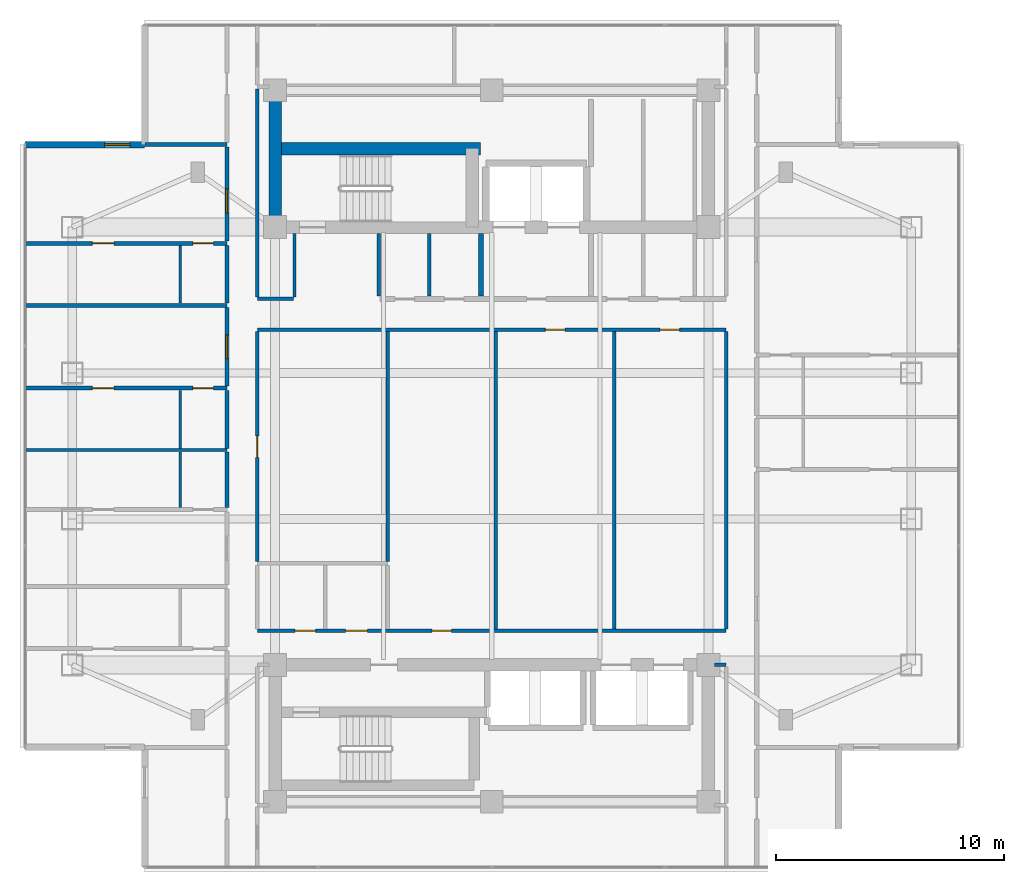
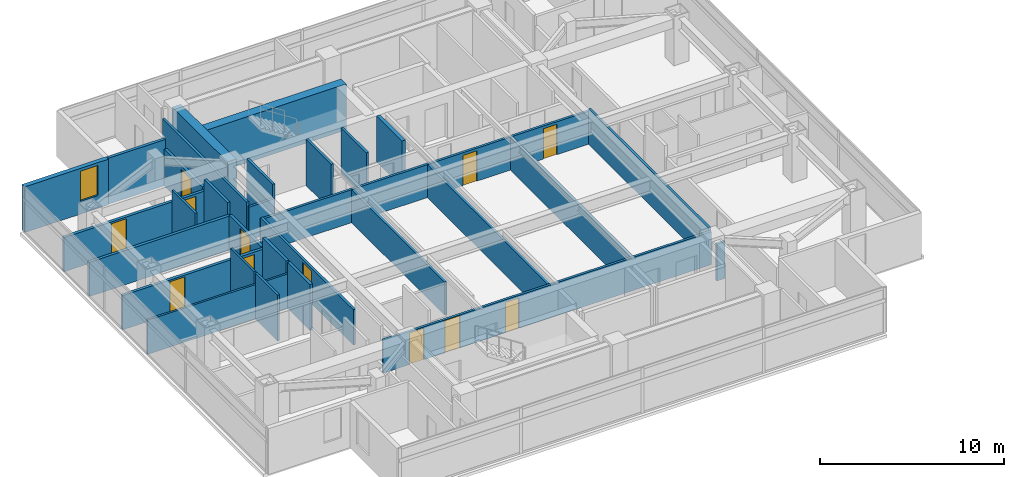
# One storey, part 13 of 24: 30 walls, 12 doors, 1 window, 13 openings.
"""IFC4 building model written with IfcOpenShell, lengths in metres."""

from ifc_helpers import new_model, si_unit, direction, frame, frame_2d, origin, place, context, subcontext, project, spatial, rectangle, extrude, material, layer, layer_set, type_object, element, fill, save


model = new_model("IFC4")

# Units and contexts
model_context = context("Model", 3, precision=1e-05, world=origin(), true_north=direction((0.0, 1.0)))
body_context = subcontext(model_context, "Body", "Model", "MODEL_VIEW")
ifc_project = project(units=[si_unit("LENGTHUNIT", "METRE"), si_unit("AREAUNIT", "SQUARE_METRE"), si_unit("VOLUMEUNIT", "CUBIC_METRE"), si_unit("PLANEANGLEUNIT", "RADIAN"), si_unit("MASSUNIT", "GRAM", prefix="KILO")], contexts=[model_context])

# Site, building, storey
site_placement = place(None, origin())
site = spatial("IfcSite", under=ifc_project, at=site_placement, CompositionType="ELEMENT")
building_placement = place(site_placement, origin())
building = spatial("IfcBuilding", under=site, at=building_placement, Name="Mirazonda Arch Towers", CompositionType="ELEMENT")
storey_placement = place(building_placement, frame((0.0, 0.0, 164.14990234375)))
storey = spatial("IfcBuildingStorey", under=building, at=storey_placement, Name="L46", CompositionType="ELEMENT", Elevation=164.14990234375)

# Walls
ifc_material_1 = material(Name="Concrete C50/60", Category="concrete")
ifc_layer_1 = layer(ifc_material_1, 0.550048828125, Name="WALL-CORE-550")
ifc_layer_set_1 = layer_set([ifc_layer_1], Name="Concrete C50/60")
wall_type_1 = type_object("IfcWallType", Name="WALL-CORE-550", PredefinedType="SHEAR", material=ifc_layer_set_1)
wall_1_placement = place(storey_placement, frame((11.0, 37.60009765625, 0.0), z_axis=(0.0, 0.0, 1.0), x_axis=(0.0, 1.0, 0.0)))
element("IfcWall", 1, at=wall_1_placement, inside=storey, type_object=wall_type_1, Name="L46 T1N-W Core Shear Wall", PredefinedType="SHEAR", context=body_context, shape_type="SweptSolid", body=[
    extrude(rectangle(XDim=6.0, YDim=0.550048828125, at=frame_2d((3.0, 0.0))), origin(), (0.0, 0.0, 1.0), 3.050048828125),
])
wall_2_placement = place(storey_placement, frame((11.0, 41.04296875, 0.0), z_axis=(0.0, 0.0, 1.0), x_axis=(1.0, 0.0, 0.0)))
element("IfcWall", 2, at=wall_2_placement, inside=storey, type_object=wall_type_1, Name="L46 T1N-STN Core Shear Wall", PredefinedType="SHEAR", context=body_context, shape_type="SweptSolid", body=[
    extrude(rectangle(XDim=9.0, YDim=0.550048828125, at=frame_2d((4.5, 0.0))), origin(), (0.0, 0.0, 1.0), 3.050048828125),
])

# Wall, opening, window
ifc_material_2 = material(Name="Precast Concrete C40/50", Category="concrete")
ifc_layer_2 = layer(ifc_material_2, 0.280029296875, Name="WALL-EXT-WALL-280")
ifc_layer_set_2 = layer_set([ifc_layer_2], Name="Precast Concrete C40/50")
wall_type_2 = type_object("IfcWallType", Name="WALL-EXT-WALL-280", PredefinedType="SOLIDWALL", material=ifc_layer_set_2)
wall_3_placement = place(storey_placement, frame((5.27490234375, 41.218994140625, 0.0), z_axis=(0.0, 0.0, 1.0), x_axis=(-1.0, 0.0, 0.0)))
wall_3 = element("IfcWall", 3, at=wall_3_placement, inside=storey, type_object=wall_type_2, Name="L46 T1 Corner Notch Return Wall WL-L46-T1-CNW1", PredefinedType="SOLIDWALL", context=body_context, shape_type="SweptSolid", body=[
    extrude(rectangle(XDim=5.244873046875, YDim=0.280029296875, at=frame_2d((2.62255859375, 0.0))), origin(), (0.0, 0.0, 1.0), 3.030029296875),
])
opening_1_placement = place(wall_3_placement, frame((0.64990234375, 0.0, 0.85009765625)))
opening_1 = element("IfcOpeningElement", 4, at=opening_1_placement, cuts=wall_3, Name="Opening WN-108", PredefinedType="OPENING", context=body_context, shape_type="SweptSolid", body=[
    extrude(rectangle(XDim=1.10009765625, YDim=2.0, at=frame_2d((0.550048828125, 1.0))), frame((0.0, 0.14990234375, 0.0), z_axis=(0.0, -1.0, 0.0), x_axis=(1.0, 0.0, 0.0)), (0.0, 0.0, 1.0), 0.300048828125),
])
ifc_material_3 = material(Name="Insulated Low-E Solar Glass", Category="glass")
window_type = type_object("IfcWindowType", Name="WIN-NOTCH-1100x2000", PartitioningType="SINGLE_PANEL", PredefinedType="WINDOW", material=ifc_material_3)
window_placement = place(opening_1_placement, origin())
window = element("IfcWindow", 5, at=window_placement, inside=storey, type_object=window_type, Name="L46 Punched Facade Window WN-L46-T1-CNW1", OverallHeight=2.0, OverallWidth=1.10009765625, PartitioningType="SINGLE_PANEL", PredefinedType="WINDOW", context=body_context, shape_type="SweptSolid", body=[
    extrude(rectangle(XDim=1.10009765625, YDim=2.0, at=frame_2d((0.550048828125, 1.0))), frame((0.0, 0.030029296875, 0.0), z_axis=(0.0, -1.0, 0.0), x_axis=(1.0, 0.0, 0.0)), (0.0, 0.0, 1.0), 0.06005859375),
])
fill(opening_1, window)

# Walls
ifc_material_4 = material(Name="Concrete C40/50", Category="concrete")
ifc_layer_3 = layer(ifc_material_4, 0.219970703125, Name="WALL-FFL-220")
ifc_layer_set_3 = layer_set([ifc_layer_3], Name="Concrete C40/50")
wall_type_3 = type_object("IfcWallType", Name="WALL-FFL-220", PredefinedType="SOLIDWALL", material=ifc_layer_set_3)
wall_4_placement = place(storey_placement, frame((20.02490234375, 34.570068359375, 0.0), z_axis=(0.0, 0.0, 1.0), x_axis=(0.0, 1.0, 0.0)))
element("IfcWall", 6, at=wall_4_placement, inside=storey, type_object=wall_type_3, Name="L46 Interior Partition 090", PredefinedType="SOLIDWALL", context=body_context, shape_type="SweptSolid", body=[
    extrude(rectangle(XDim=2.760009765625, YDim=0.219970703125, at=frame_2d((1.3798828125, 0.0))), origin(), (0.0, 0.0, 1.0), 3.050048828125),
])
ifc_material_5 = material(Name="Fire-Rated Gypsum Stud Partition")
ifc_layer_4 = layer(ifc_material_5, 0.14990234375, Name="WALL-PART-CORR-150")
ifc_layer_set_4 = layer_set([ifc_layer_4], Name="Fire-Rated Gypsum Stud Partition")
wall_type_4 = type_object("IfcWallType", Name="WALL-PART-CORR-150", PredefinedType="PARTITIONING", material=ifc_layer_set_4)
wall_5_placement = place(storey_placement, frame((30.27001953125, 18.39990234375, 0.0), z_axis=(0.0, 0.0, 1.0), x_axis=(1.0, 0.0, 0.0)))
element("IfcWall", 7, at=wall_5_placement, inside=storey, type_object=wall_type_4, Name="L46 Interior Partition 013", PredefinedType="PARTITIONING", context=body_context, shape_type="SweptSolid", body=[
    extrude(rectangle(XDim=0.510009765625, YDim=0.14990234375, at=frame_2d((0.2548828125, 0.0))), origin(), (0.0, 0.0, 1.0), 2.442138671875),
])

# Wall, openings, doors
wall_6_placement = place(storey_placement, frame((10.219970703125, 19.89990234375, 0.0), z_axis=(0.0, 0.0, 1.0), x_axis=(1.0, 0.0, 0.0)))
wall_6 = element("IfcWall", 8, at=wall_6_placement, inside=storey, type_object=wall_type_4, Name="L46 Interior Partition 016", PredefinedType="PARTITIONING", context=body_context, shape_type="SweptSolid", body=[
    extrude(rectangle(XDim=20.56005859375, YDim=0.14990234375, at=frame_2d((10.280029296875, 0.0))), origin(), (0.0, 0.0, 1.0), 2.18603515625),
])
opening_2_placement = place(wall_6_placement, frame((1.659912109375, 0.0, 0.0)))
opening_2 = element("IfcOpeningElement", 9, at=opening_2_placement, cuts=wall_6, Name="Opening DR-120", PredefinedType="OPENING", context=body_context, shape_type="SweptSolid", body=[
    extrude(rectangle(XDim=0.89990234375, YDim=2.10009765625, at=frame_2d((0.449951171875, 1.050048828125))), frame((0.0, 0.0849609375, 0.0), z_axis=(0.0, -1.0, 0.0), x_axis=(1.0, 0.0, 0.0)), (0.0, 0.0, 1.0), 0.169921875),
])
opening_3_placement = place(wall_6_placement, frame((3.8701171875, 0.0, 0.0)))
opening_3 = element("IfcOpeningElement", 10, at=opening_3_placement, cuts=wall_6, Name="Opening DR-104", PredefinedType="OPENING", context=body_context, shape_type="SweptSolid", body=[
    extrude(rectangle(XDim=0.949951171875, YDim=2.14990234375, at=frame_2d((0.47509765625, 1.074951171875))), frame((0.0, 0.0849609375, 0.0), z_axis=(0.0, -1.0, 0.0), x_axis=(1.0, 0.0, 0.0)), (0.0, 0.0, 1.0), 0.169921875),
])
opening_4_placement = place(wall_6_placement, frame((7.660888671875, 0.0, 0.0)))
opening_4 = element("IfcOpeningElement", 11, at=opening_4_placement, cuts=wall_6, Name="Opening DR-128", PredefinedType="OPENING", context=body_context, shape_type="SweptSolid", body=[
    extrude(rectangle(XDim=0.85009765625, YDim=2.010009765625, at=frame_2d((0.425048828125, 1.0048828125))), frame((0.0, 0.0849609375, 0.0), z_axis=(0.0, -1.0, 0.0), x_axis=(1.0, 0.0, 0.0)), (0.0, 0.0, 1.0), 0.169921875),
])
ifc_material_6 = material(Name="Architectural Brushed Steel S355", Category="steel")
door_type_1 = type_object("IfcDoorType", Name="DOOR-RISER-FD60-850", OperationType="NOTDEFINED", PredefinedType="DOOR", material=ifc_material_6)
door_1_placement = place(opening_4_placement, origin())
door_1 = element("IfcDoor", 12, at=door_1_placement, inside=storey, type_object=door_type_1, Name="L46 Executive Club Lounge Door", OperationType="SINGLE_SWING_LEFT", OverallHeight=2.010009765625, OverallWidth=0.85009765625, PredefinedType="DOOR", context=body_context, shape_type="SweptSolid", body=[
    extrude(rectangle(XDim=0.85009765625, YDim=2.010009765625, at=frame_2d((0.425048828125, 1.0048828125))), frame((0.0, 0.02490234375, 0.0), z_axis=(0.0, -1.0, 0.0), x_axis=(1.0, 0.0, 0.0)), (0.0, 0.0, 1.0), 0.050048828125),
])
fill(opening_4, door_1)
door_type_2 = type_object("IfcDoorType", Name="DOOR-ROOM-950", OperationType="NOTDEFINED", PredefinedType="DOOR", material=ifc_material_6)
door_2_placement = place(opening_3_placement, origin())
door_2 = element("IfcDoor", 13, at=door_2_placement, inside=storey, type_object=door_type_2, Name="L46 L46 West Courtyard Study Door", OperationType="SINGLE_SWING_LEFT", OverallHeight=2.14990234375, OverallWidth=0.949951171875, PredefinedType="DOOR", context=body_context, shape_type="SweptSolid", body=[
    extrude(rectangle(XDim=0.949951171875, YDim=2.14990234375, at=frame_2d((0.47509765625, 1.074951171875))), frame((0.0, 0.02490234375, 0.0), z_axis=(0.0, -1.0, 0.0), x_axis=(1.0, 0.0, 0.0)), (0.0, 0.0, 1.0), 0.050048828125),
])
fill(opening_3, door_2)
door_type_3 = type_object("IfcDoorType", Name="DOOR-WC-900", OperationType="NOTDEFINED", PredefinedType="DOOR", material=ifc_material_6)
door_3_placement = place(opening_2_placement, origin())
door_3 = element("IfcDoor", 14, at=door_3_placement, inside=storey, type_object=door_type_3, Name="L46 Common Accessible WC Door", OperationType="SINGLE_SWING_RIGHT", OverallHeight=2.10009765625, OverallWidth=0.89990234375, PredefinedType="DOOR", context=body_context, shape_type="SweptSolid", body=[
    extrude(rectangle(XDim=0.89990234375, YDim=2.10009765625, at=frame_2d((0.449951171875, 1.050048828125))), frame((0.0, 0.02490234375, 0.0), z_axis=(0.0, -1.0, 0.0), x_axis=(1.0, 0.0, 0.0)), (0.0, 0.0, 1.0), 0.050048828125),
])
fill(opening_2, door_3)

wall_7_placement = place(storey_placement, frame((10.219970703125, 33.10009765625, 0.0), z_axis=(0.0, 0.0, 1.0), x_axis=(1.0, 0.0, 0.0)))
wall_7 = element("IfcWall", 15, at=wall_7_placement, inside=storey, type_object=wall_type_4, Name="L46 Interior Partition 046", PredefinedType="PARTITIONING", context=body_context, shape_type="SweptSolid", body=[
    extrude(rectangle(XDim=20.56005859375, YDim=0.14990234375, at=frame_2d((10.280029296875, 0.0))), origin(), (0.0, 0.0, 1.0), 2.18603515625),
])
opening_5_placement = place(wall_7_placement, frame((12.635986328125, 0.0, 0.0)))
opening_5 = element("IfcOpeningElement", 16, at=opening_5_placement, cuts=wall_7, Name="Opening DR-128", PredefinedType="OPENING", context=body_context, shape_type="SweptSolid", body=[
    extrude(rectangle(XDim=0.85009765625, YDim=2.010009765625, at=frame_2d((0.425048828125, 1.0048828125))), frame((0.0, 0.0849609375, 0.0), z_axis=(0.0, -1.0, 0.0), x_axis=(1.0, 0.0, 0.0)), (0.0, 0.0, 1.0), 0.169921875),
])
opening_6_placement = place(wall_7_placement, frame((17.6650390625, 0.0, 0.0)))
opening_6 = element("IfcOpeningElement", 17, at=opening_6_placement, cuts=wall_7, Name="Opening DR-128", PredefinedType="OPENING", context=body_context, shape_type="SweptSolid", body=[
    extrude(rectangle(XDim=0.85009765625, YDim=2.010009765625, at=frame_2d((0.425048828125, 1.0048828125))), frame((0.0, 0.0849609375, 0.0), z_axis=(0.0, -1.0, 0.0), x_axis=(1.0, 0.0, 0.0)), (0.0, 0.0, 1.0), 0.169921875),
])
door_4_placement = place(opening_5_placement, origin())
door_4 = element("IfcDoor", 18, at=door_4_placement, inside=storey, type_object=door_type_1, Name="L46 Concierge Salon Door", OperationType="SINGLE_SWING_RIGHT", OverallHeight=2.010009765625, OverallWidth=0.85009765625, PredefinedType="DOOR", context=body_context, shape_type="SweptSolid", body=[
    extrude(rectangle(XDim=0.85009765625, YDim=2.010009765625, at=frame_2d((0.425048828125, 1.0048828125))), frame((0.0, 0.02490234375, 0.0), z_axis=(0.0, -1.0, 0.0), x_axis=(1.0, 0.0, 0.0)), (0.0, 0.0, 1.0), 0.050048828125),
])
fill(opening_5, door_4)
door_5_placement = place(opening_6_placement, origin())
door_5 = element("IfcDoor", 19, at=door_5_placement, inside=storey, type_object=door_type_1, Name="L46 Private Meeting Suite Door", OperationType="SINGLE_SWING_LEFT", OverallHeight=2.010009765625, OverallWidth=0.85009765625, PredefinedType="DOOR", context=body_context, shape_type="SweptSolid", body=[
    extrude(rectangle(XDim=0.85009765625, YDim=2.010009765625, at=frame_2d((0.425048828125, 1.0048828125))), frame((0.0, 0.02490234375, 0.0), z_axis=(0.0, -1.0, 0.0), x_axis=(1.0, 0.0, 0.0)), (0.0, 0.0, 1.0), 0.050048828125),
])
fill(opening_6, door_5)

# Wall
wall_8_placement = place(storey_placement, frame((10.219970703125, 34.449951171875, 0.0), z_axis=(0.0, 0.0, 1.0), x_axis=(1.0, 0.0, 0.0)))
element("IfcWall", 20, at=wall_8_placement, inside=storey, type_object=wall_type_4, Name="L46 Interior Partition 048", PredefinedType="PARTITIONING", context=body_context, shape_type="SweptSolid", body=[
    extrude(rectangle(XDim=1.580078125, YDim=0.14990234375, at=frame_2d((0.7900390625, 0.0))), origin(), (0.0, 0.0, 1.0), 2.18603515625),
])

# Wall, opening, door
wall_9_placement = place(storey_placement, frame((10.219970703125, 22.93505859375, 0.0), z_axis=(0.0, 0.0, 1.0), x_axis=(0.0, 1.0, 0.0)))
wall_9 = element("IfcWall", 21, at=wall_9_placement, inside=storey, type_object=wall_type_4, Name="L46 Interior Partition 079", PredefinedType="PARTITIONING", context=body_context, shape_type="SweptSolid", body=[
    extrude(rectangle(XDim=10.079833984375, YDim=0.14990234375, at=frame_2d((5.0400390625, 0.0))), origin(), (0.0, 0.0, 1.0), 2.34619140625),
])
opening_7_placement = place(wall_9_placement, frame((4.56494140625, 0.0, 0.0)))
opening_7 = element("IfcOpeningElement", 22, at=opening_7_placement, cuts=wall_9, Name="Opening DR-104", PredefinedType="OPENING", context=body_context, shape_type="SweptSolid", body=[
    extrude(rectangle(XDim=0.949951171875, YDim=2.14990234375, at=frame_2d((0.47509765625, 1.074951171875))), frame((0.0, 0.0849609375, 0.0), z_axis=(0.0, -1.0, 0.0), x_axis=(1.0, 0.0, 0.0)), (0.0, 0.0, 1.0), 0.169921875),
])
door_6_placement = place(opening_7_placement, origin())
door_6 = element("IfcDoor", 23, at=door_6_placement, inside=storey, type_object=door_type_2, Name="L46 L46 West Courtyard Salon Door", OperationType="SINGLE_SWING_RIGHT", OverallHeight=2.14990234375, OverallWidth=0.949951171875, PredefinedType="DOOR", context=body_context, shape_type="SweptSolid", body=[
    extrude(rectangle(XDim=0.949951171875, YDim=2.14990234375, at=frame_2d((0.47509765625, 1.074951171875))), frame((0.0, 0.02490234375, 0.0), z_axis=(0.0, -1.0, 0.0), x_axis=(1.0, 0.0, 0.0)), (0.0, 0.0, 1.0), 0.050048828125),
])
fill(opening_7, door_6)

# Walls
wall_10_placement = place(storey_placement, frame((10.219970703125, 34.534912109375, 0.0), z_axis=(0.0, 0.0, 1.0), x_axis=(0.0, 1.0, 0.0)))
element("IfcWall", 24, at=wall_10_placement, inside=storey, type_object=wall_type_4, Name="L46 Interior Partition 080", PredefinedType="PARTITIONING", context=body_context, shape_type="SweptSolid", body=[
    extrude(rectangle(XDim=9.130126953125, YDim=0.14990234375, at=frame_2d((4.56494140625, 0.0))), origin(), (0.0, 0.0, 1.0), 2.442138671875),
])
wall_11_placement = place(storey_placement, frame((11.85009765625, 34.534912109375, 0.0), z_axis=(0.0, 0.0, 1.0), x_axis=(0.0, 1.0, 0.0)))
element("IfcWall", 25, at=wall_11_placement, inside=storey, type_object=wall_type_4, Name="L46 Interior Partition 082", PredefinedType="PARTITIONING", context=body_context, shape_type="SweptSolid", body=[
    extrude(rectangle(XDim=2.795166015625, YDim=0.14990234375, at=frame_2d((1.3974609375, 0.0))), origin(), (0.0, 0.0, 1.0), 3.050048828125),
])
wall_12_placement = place(storey_placement, frame((15.550048828125, 34.570068359375, 0.0), z_axis=(0.0, 0.0, 1.0), x_axis=(0.0, 1.0, 0.0)))
element("IfcWall", 26, at=wall_12_placement, inside=storey, type_object=wall_type_4, Name="L46 Interior Partition 084", PredefinedType="PARTITIONING", context=body_context, shape_type="SweptSolid", body=[
    extrude(rectangle(XDim=2.760009765625, YDim=0.14990234375, at=frame_2d((1.3798828125, 0.0))), origin(), (0.0, 0.0, 1.0), 3.050048828125),
])
wall_13_placement = place(storey_placement, frame((15.929931640625, 22.93505859375, 0.0), z_axis=(0.0, 0.0, 1.0), x_axis=(0.0, 1.0, 0.0)))
element("IfcWall", 27, at=wall_13_placement, inside=storey, type_object=wall_type_4, Name="L46 Interior Partition 086", PredefinedType="PARTITIONING", context=body_context, shape_type="SweptSolid", body=[
    extrude(rectangle(XDim=10.079833984375, YDim=0.14990234375, at=frame_2d((5.0400390625, 0.0))), origin(), (0.0, 0.0, 1.0), 2.18603515625),
])
wall_14_placement = place(storey_placement, frame((17.75, 34.570068359375, 0.0), z_axis=(0.0, 0.0, 1.0), x_axis=(0.0, 1.0, 0.0)))
element("IfcWall", 28, at=wall_14_placement, inside=storey, type_object=wall_type_4, Name="L46 Interior Partition 087", PredefinedType="PARTITIONING", context=body_context, shape_type="SweptSolid", body=[
    extrude(rectangle(XDim=2.760009765625, YDim=0.14990234375, at=frame_2d((1.3798828125, 0.0))), origin(), (0.0, 0.0, 1.0), 3.050048828125),
])
for number, where, z_axis, x_axis, name in (
    (29, (20.681884765625, 19.985107421875, 0.0), (0.0, 0.0, 1.0), (0.0, 1.0, 0.0), "L46 Interior Partition 094"),
    (30, (25.8798828125, 19.985107421875, 0.0), (0.0, 0.0, 1.0), (0.0, 1.0, 0.0), "L46 Interior Partition 100"),
):
    element("IfcWall", number, at=place(storey_placement, frame(where, z_axis=z_axis, x_axis=x_axis)), inside=storey, type_object=wall_type_4, Name=name, PredefinedType="PARTITIONING", context=body_context, shape_type="SweptSolid", body=[
        extrude(rectangle(XDim=13.02978515625, YDim=0.14990234375, at=frame_2d((6.514892578125, 0.0))), origin(), (0.0, 0.0, 1.0), 2.18603515625),
    ])
wall_15_placement = place(storey_placement, frame((30.780029296875, 19.985107421875, 0.0), z_axis=(0.0, 0.0, 1.0), x_axis=(0.0, 1.0, 0.0)))
element("IfcWall", 31, at=wall_15_placement, inside=storey, type_object=wall_type_4, Name="L46 Interior Partition 108", PredefinedType="PARTITIONING", context=body_context, shape_type="SweptSolid", body=[
    extrude(rectangle(XDim=13.02978515625, YDim=0.14990234375, at=frame_2d((6.514892578125, 0.0))), origin(), (0.0, 0.0, 1.0), 2.34619140625),
])

# Wall, openings, doors
ifc_material_7 = material(Name="Fire-Rated Gypsum Twin-Stud Assembly")
ifc_layer_5 = layer(ifc_material_7, 0.179931640625, Name="WALL-PART-DEMISE-180")
ifc_layer_set_5 = layer_set([ifc_layer_5], Name="Fire-Rated Gypsum Twin-Stud Assembly")
wall_type_5 = type_object("IfcWallType", Name="WALL-PART-DEMISE-180", PredefinedType="PARTITIONING", material=ifc_layer_set_5)
wall_16_placement = place(storey_placement, frame((0.030029296875, 30.5390625, 0.0), z_axis=(0.0, 0.0, 1.0), x_axis=(1.0, 0.0, 0.0)))
wall_16 = element("IfcWall", 32, at=wall_16_placement, inside=storey, type_object=wall_type_5, Name="L46 Interior Partition 038", PredefinedType="PARTITIONING", context=body_context, shape_type="SweptSolid", body=[
    extrude(rectangle(XDim=8.849853515625, YDim=0.179931640625, at=frame_2d((4.4248046875, 0.0))), origin(), (0.0, 0.0, 1.0), 2.26904296875),
])
opening_8_placement = place(wall_16_placement, frame((2.949951171875, 0.0, 0.0)))
opening_8 = element("IfcOpeningElement", 33, at=opening_8_placement, cuts=wall_16, Name="Opening DR-104", PredefinedType="OPENING", context=body_context, shape_type="SweptSolid", body=[
    extrude(rectangle(XDim=0.949951171875, YDim=2.14990234375, at=frame_2d((0.47509765625, 1.074951171875))), frame((0.0, 0.099853515625, 0.0), z_axis=(0.0, -1.0, 0.0), x_axis=(1.0, 0.0, 0.0)), (0.0, 0.0, 1.0), 0.199951171875),
])
opening_9_placement = place(wall_16_placement, frame((7.360107421875, 0.0, 0.0)))
opening_9 = element("IfcOpeningElement", 34, at=opening_9_placement, cuts=wall_16, Name="Opening DR-120", PredefinedType="OPENING", context=body_context, shape_type="SweptSolid", body=[
    extrude(rectangle(XDim=0.89990234375, YDim=2.10009765625, at=frame_2d((0.449951171875, 1.050048828125))), frame((0.0, 0.099853515625, 0.0), z_axis=(0.0, -1.0, 0.0), x_axis=(1.0, 0.0, 0.0)), (0.0, 0.0, 1.0), 0.199951171875),
])
door_7_placement = place(opening_8_placement, origin())
door_7 = element("IfcDoor", 35, at=door_7_placement, inside=storey, type_object=door_type_2, Name="L46 Guestroom Study 3 Door", OperationType="SINGLE_SWING_RIGHT", OverallHeight=2.14990234375, OverallWidth=0.949951171875, PredefinedType="DOOR", context=body_context, shape_type="SweptSolid", body=[
    extrude(rectangle(XDim=0.949951171875, YDim=2.14990234375, at=frame_2d((0.47509765625, 1.074951171875))), frame((0.0, 0.02490234375, 0.0), z_axis=(0.0, -1.0, 0.0), x_axis=(1.0, 0.0, 0.0)), (0.0, 0.0, 1.0), 0.050048828125),
])
fill(opening_8, door_7)
door_8_placement = place(opening_9_placement, origin())
door_8 = element("IfcDoor", 36, at=door_8_placement, inside=storey, type_object=door_type_3, Name="L46 En-Suite Bathroom 3 Door", OperationType="SINGLE_SWING_LEFT", OverallHeight=2.10009765625, OverallWidth=0.89990234375, PredefinedType="DOOR", context=body_context, shape_type="SweptSolid", body=[
    extrude(rectangle(XDim=0.89990234375, YDim=2.10009765625, at=frame_2d((0.449951171875, 1.050048828125))), frame((0.0, 0.02490234375, 0.0), z_axis=(0.0, -1.0, 0.0), x_axis=(1.0, 0.0, 0.0)), (0.0, 0.0, 1.0), 0.050048828125),
])
fill(opening_9, door_8)

# Wall
wall_17_placement = place(storey_placement, frame((0.030029296875, 34.1669921875, 0.0), z_axis=(0.0, 0.0, 1.0), x_axis=(1.0, 0.0, 0.0)))
element("IfcWall", 37, at=wall_17_placement, inside=storey, type_object=wall_type_5, Name="L46 Interior Partition 047", PredefinedType="PARTITIONING", context=body_context, shape_type="SweptSolid", body=[
    extrude(rectangle(XDim=8.849853515625, YDim=0.179931640625, at=frame_2d((4.4248046875, 0.0))), origin(), (0.0, 0.0, 1.0), 2.26904296875),
])

# Wall, openings, doors
wall_18_placement = place(storey_placement, frame((0.030029296875, 36.886962890625, 0.0), z_axis=(0.0, 0.0, 1.0), x_axis=(1.0, 0.0, 0.0)))
wall_18 = element("IfcWall", 38, at=wall_18_placement, inside=storey, type_object=wall_type_5, Name="L46 Interior Partition 052", PredefinedType="PARTITIONING", context=body_context, shape_type="SweptSolid", body=[
    extrude(rectangle(XDim=8.849853515625, YDim=0.179931640625, at=frame_2d((4.4248046875, 0.0))), origin(), (0.0, 0.0, 1.0), 2.26904296875),
])
opening_10_placement = place(wall_18_placement, frame((2.949951171875, 0.0, 0.0)))
opening_10 = element("IfcOpeningElement", 39, at=opening_10_placement, cuts=wall_18, Name="Opening DR-104", PredefinedType="OPENING", context=body_context, shape_type="SweptSolid", body=[
    extrude(rectangle(XDim=0.949951171875, YDim=2.14990234375, at=frame_2d((0.47509765625, 1.074951171875))), frame((0.0, 0.099853515625, 0.0), z_axis=(0.0, -1.0, 0.0), x_axis=(1.0, 0.0, 0.0)), (0.0, 0.0, 1.0), 0.199951171875),
])
opening_11_placement = place(wall_18_placement, frame((7.360107421875, 0.0, 0.0)))
opening_11 = element("IfcOpeningElement", 40, at=opening_11_placement, cuts=wall_18, Name="Opening DR-120", PredefinedType="OPENING", context=body_context, shape_type="SweptSolid", body=[
    extrude(rectangle(XDim=0.89990234375, YDim=2.10009765625, at=frame_2d((0.449951171875, 1.050048828125))), frame((0.0, 0.099853515625, 0.0), z_axis=(0.0, -1.0, 0.0), x_axis=(1.0, 0.0, 0.0)), (0.0, 0.0, 1.0), 0.199951171875),
])
door_9_placement = place(opening_10_placement, origin())
door_9 = element("IfcDoor", 41, at=door_9_placement, inside=storey, type_object=door_type_2, Name="L46 Guestroom Study 4 Door", OperationType="SINGLE_SWING_LEFT", OverallHeight=2.14990234375, OverallWidth=0.949951171875, PredefinedType="DOOR", context=body_context, shape_type="SweptSolid", body=[
    extrude(rectangle(XDim=0.949951171875, YDim=2.14990234375, at=frame_2d((0.47509765625, 1.074951171875))), frame((0.0, 0.02490234375, 0.0), z_axis=(0.0, -1.0, 0.0), x_axis=(1.0, 0.0, 0.0)), (0.0, 0.0, 1.0), 0.050048828125),
])
fill(opening_10, door_9)
door_10_placement = place(opening_11_placement, origin())
door_10 = element("IfcDoor", 42, at=door_10_placement, inside=storey, type_object=door_type_3, Name="L46 En-Suite Bathroom 4 Door", OperationType="SINGLE_SWING_RIGHT", OverallHeight=2.10009765625, OverallWidth=0.89990234375, PredefinedType="DOOR", context=body_context, shape_type="SweptSolid", body=[
    extrude(rectangle(XDim=0.89990234375, YDim=2.10009765625, at=frame_2d((0.449951171875, 1.050048828125))), frame((0.0, 0.02490234375, 0.0), z_axis=(0.0, -1.0, 0.0), x_axis=(1.0, 0.0, 0.0)), (0.0, 0.0, 1.0), 0.050048828125),
])
fill(opening_11, door_10)

# Walls
wall_19_placement = place(storey_placement, frame((5.294921875, 41.218994140625, 0.0), z_axis=(0.0, 0.0, 1.0), x_axis=(1.0, 0.0, 0.0)))
element("IfcWall", 43, at=wall_19_placement, inside=storey, type_object=wall_type_5, Name="L46 Interior Partition 058", PredefinedType="PARTITIONING", context=body_context, shape_type="SweptSolid", body=[
    extrude(rectangle(XDim=3.5849609375, YDim=0.179931640625, at=frame_2d((1.79248046875, 0.0))), origin(), (0.0, 0.0, 1.0), 3.050048828125),
])
wall_20_placement = place(storey_placement, frame((8.8798828125, 25.31396484375, 0.0), z_axis=(0.0, 0.0, 1.0), x_axis=(0.0, 1.0, 0.0)))
element("IfcWall", 44, at=wall_20_placement, inside=storey, type_object=wall_type_5, Name="L46 Interior Partition 070", PredefinedType="PARTITIONING", context=body_context, shape_type="SweptSolid", body=[
    extrude(rectangle(XDim=2.4326171875, YDim=0.179931640625, at=frame_2d((1.21630859375, 0.0))), origin(), (0.0, 0.0, 1.0), 3.050048828125),
])
wall_21_placement = place(storey_placement, frame((8.8798828125, 27.8916015625, 0.0), z_axis=(0.0, 0.0, 1.0), x_axis=(0.0, 1.0, 0.0)))
element("IfcWall", 45, at=wall_21_placement, inside=storey, type_object=wall_type_5, Name="L46 Interior Partition 071", PredefinedType="PARTITIONING", context=body_context, shape_type="SweptSolid", body=[
    extrude(rectangle(XDim=2.54736328125, YDim=0.179931640625, at=frame_2d((1.273681640625, 0.0))), origin(), (0.0, 0.0, 1.0), 3.050048828125),
])

# Wall, opening, door
wall_22_placement = place(storey_placement, frame((8.8798828125, 30.638916015625, 0.0), z_axis=(0.0, 0.0, 1.0), x_axis=(0.0, 1.0, 0.0)))
wall_22 = element("IfcWall", 46, at=wall_22_placement, inside=storey, type_object=wall_type_5, Name="L46 Interior Partition 072", PredefinedType="PARTITIONING", context=body_context, shape_type="SweptSolid", body=[
    extrude(rectangle(XDim=3.427978515625, YDim=0.179931640625, at=frame_2d((1.7138671875, 0.0))), origin(), (0.0, 0.0, 1.0), 2.34619140625),
])
opening_12_placement = place(wall_22_placement, frame((1.18896484375, 0.0, 0.0)))
opening_12 = element("IfcOpeningElement", 47, at=opening_12_placement, cuts=wall_22, Name="Opening DR-121", PredefinedType="OPENING", context=body_context, shape_type="SweptSolid", body=[
    extrude(rectangle(XDim=1.050048828125, YDim=2.199951171875, at=frame_2d((0.52490234375, 1.10009765625))), frame((0.0, 0.099853515625, 0.0), z_axis=(0.0, -1.0, 0.0), x_axis=(1.0, 0.0, 0.0)), (0.0, 0.0, 1.0), 0.199951171875),
])
door_type_4 = type_object("IfcDoorType", Name="DOOR-SUITE-FD60-1050", OperationType="NOTDEFINED", PredefinedType="DOOR", material=ifc_material_6)
door_11_placement = place(opening_12_placement, origin())
door_11 = element("IfcDoor", 48, at=door_11_placement, inside=storey, type_object=door_type_4, Name="L46 King Hotel Guestroom 3 Door", OperationType="SINGLE_SWING_LEFT", OverallHeight=2.199951171875, OverallWidth=1.050048828125, PredefinedType="DOOR", context=body_context, shape_type="SweptSolid", body=[
    extrude(rectangle(XDim=1.050048828125, YDim=2.199951171875, at=frame_2d((0.52490234375, 1.10009765625))), frame((0.0, 0.02490234375, 0.0), z_axis=(0.0, -1.0, 0.0), x_axis=(1.0, 0.0, 0.0)), (0.0, 0.0, 1.0), 0.050048828125),
])
fill(opening_12, door_11)

# Wall
wall_23_placement = place(storey_placement, frame((8.8798828125, 34.26708984375, 0.0), z_axis=(0.0, 0.0, 1.0), x_axis=(0.0, 1.0, 0.0)))
element("IfcWall", 49, at=wall_23_placement, inside=storey, type_object=wall_type_5, Name="L46 Interior Partition 073", PredefinedType="PARTITIONING", context=body_context, shape_type="SweptSolid", body=[
    extrude(rectangle(XDim=2.52001953125, YDim=0.179931640625, at=frame_2d((1.260009765625, 0.0))), origin(), (0.0, 0.0, 1.0), 3.050048828125),
])

# Wall, opening, door
wall_24_placement = place(storey_placement, frame((8.8798828125, 36.987060546875, 0.0), z_axis=(0.0, 0.0, 1.0), x_axis=(0.0, 1.0, 0.0)))
wall_24 = element("IfcWall", 50, at=wall_24_placement, inside=storey, type_object=wall_type_5, Name="L46 Interior Partition 074", PredefinedType="PARTITIONING", context=body_context, shape_type="SweptSolid", body=[
    extrude(rectangle(XDim=4.1318359375, YDim=0.179931640625, at=frame_2d((2.06591796875, 0.0))), origin(), (0.0, 0.0, 1.0), 2.442138671875),
])
opening_13_placement = place(wall_24_placement, frame((1.240966796875, 0.0, 0.0)))
opening_13 = element("IfcOpeningElement", 51, at=opening_13_placement, cuts=wall_24, Name="Opening DR-121", PredefinedType="OPENING", context=body_context, shape_type="SweptSolid", body=[
    extrude(rectangle(XDim=1.050048828125, YDim=2.199951171875, at=frame_2d((0.52490234375, 1.10009765625))), frame((0.0, 0.099853515625, 0.0), z_axis=(0.0, -1.0, 0.0), x_axis=(1.0, 0.0, 0.0)), (0.0, 0.0, 1.0), 0.199951171875),
])
door_12_placement = place(opening_13_placement, origin())
door_12 = element("IfcDoor", 52, at=door_12_placement, inside=storey, type_object=door_type_4, Name="L46 Twin Hotel Guestroom 4 Door", OperationType="SINGLE_SWING_RIGHT", OverallHeight=2.199951171875, OverallWidth=1.050048828125, PredefinedType="DOOR", context=body_context, shape_type="SweptSolid", body=[
    extrude(rectangle(XDim=1.050048828125, YDim=2.199951171875, at=frame_2d((0.52490234375, 1.10009765625))), frame((0.0, 0.02490234375, 0.0), z_axis=(0.0, -1.0, 0.0), x_axis=(1.0, 0.0, 0.0)), (0.0, 0.0, 1.0), 0.050048828125),
])
fill(opening_13, door_12)

# Walls
ifc_material_8 = material(Name="Acoustic Fire-Rated Gypsum Partition")
ifc_layer_6 = layer(ifc_material_8, 0.125, Name="WALL-PART-UNIT-125")
ifc_layer_set_6 = layer_set([ifc_layer_6], Name="Acoustic Fire-Rated Gypsum Partition")
wall_type_6 = type_object("IfcWallType", Name="WALL-PART-UNIT-125", PredefinedType="PARTITIONING", material=ifc_layer_set_6)
wall_25_placement = place(storey_placement, frame((0.030029296875, 27.819091796875, 0.0), z_axis=(0.0, 0.0, 1.0), x_axis=(1.0, 0.0, 0.0)))
element("IfcWall", 53, at=wall_25_placement, inside=storey, type_object=wall_type_6, Name="L46 Interior Partition 033", PredefinedType="PARTITIONING", context=body_context, shape_type="SweptSolid", body=[
    extrude(rectangle(XDim=8.849853515625, YDim=0.125, at=frame_2d((4.4248046875, 0.0))), origin(), (0.0, 0.0, 1.0), 2.26904296875),
])
wall_26_placement = place(storey_placement, frame((6.840087890625, 25.31396484375, 0.0), z_axis=(0.0, 0.0, 1.0), x_axis=(0.0, 1.0, 0.0)))
element("IfcWall", 54, at=wall_26_placement, inside=storey, type_object=wall_type_6, Name="L46 Interior Partition 063", PredefinedType="PARTITIONING", context=body_context, shape_type="SweptSolid", body=[
    extrude(rectangle(XDim=2.4326171875, YDim=0.125, at=frame_2d((1.21630859375, 0.0))), origin(), (0.0, 0.0, 1.0), 3.050048828125),
])
wall_27_placement = place(storey_placement, frame((6.840087890625, 27.8916015625, 0.0), z_axis=(0.0, 0.0, 1.0), x_axis=(0.0, 1.0, 0.0)))
element("IfcWall", 55, at=wall_27_placement, inside=storey, type_object=wall_type_6, Name="L46 Interior Partition 064", PredefinedType="PARTITIONING", context=body_context, shape_type="SweptSolid", body=[
    extrude(rectangle(XDim=2.54736328125, YDim=0.125, at=frame_2d((1.273681640625, 0.0))), origin(), (0.0, 0.0, 1.0), 3.050048828125),
])
wall_28_placement = place(storey_placement, frame((6.840087890625, 34.26708984375, 0.0), z_axis=(0.0, 0.0, 1.0), x_axis=(0.0, 1.0, 0.0)))
element("IfcWall", 56, at=wall_28_placement, inside=storey, type_object=wall_type_6, Name="L46 Interior Partition 065", PredefinedType="PARTITIONING", context=body_context, shape_type="SweptSolid", body=[
    extrude(rectangle(XDim=2.52001953125, YDim=0.125, at=frame_2d((1.260009765625, 0.0))), origin(), (0.0, 0.0, 1.0), 3.050048828125),
])

save(model, "model.ifc")
